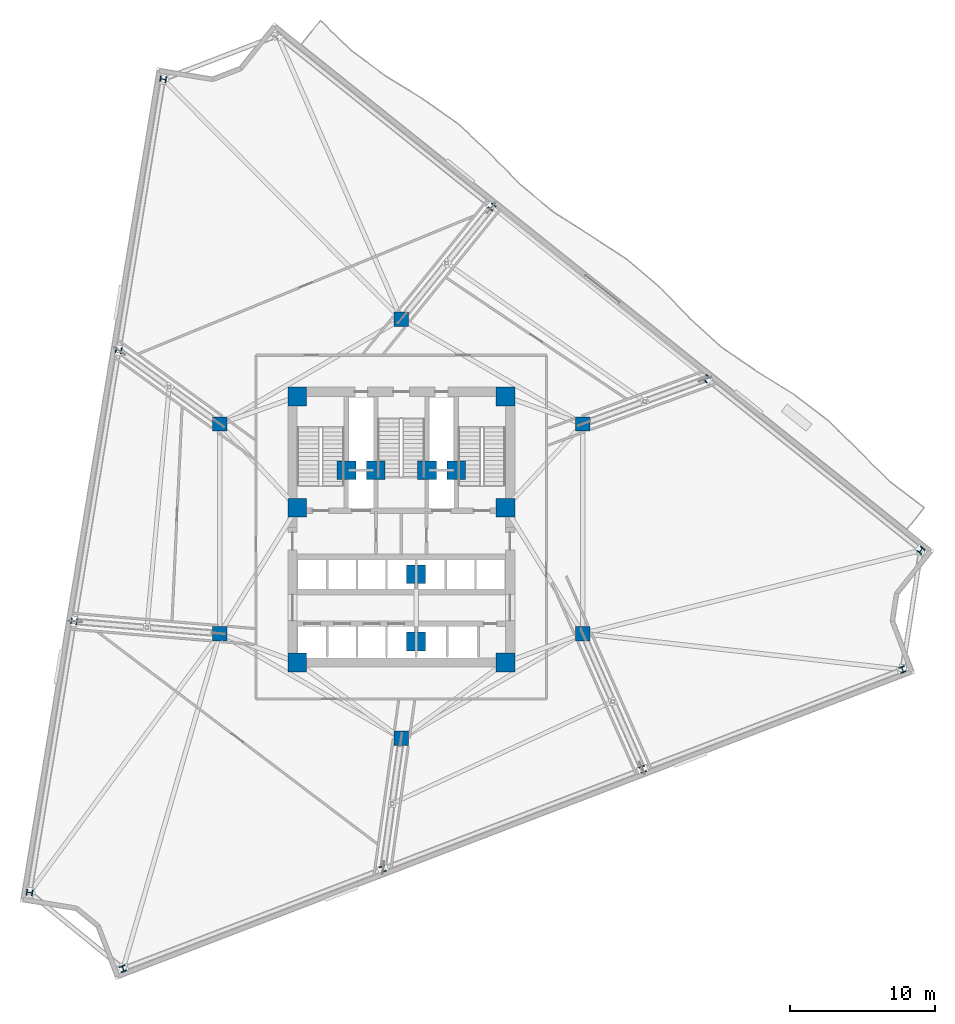
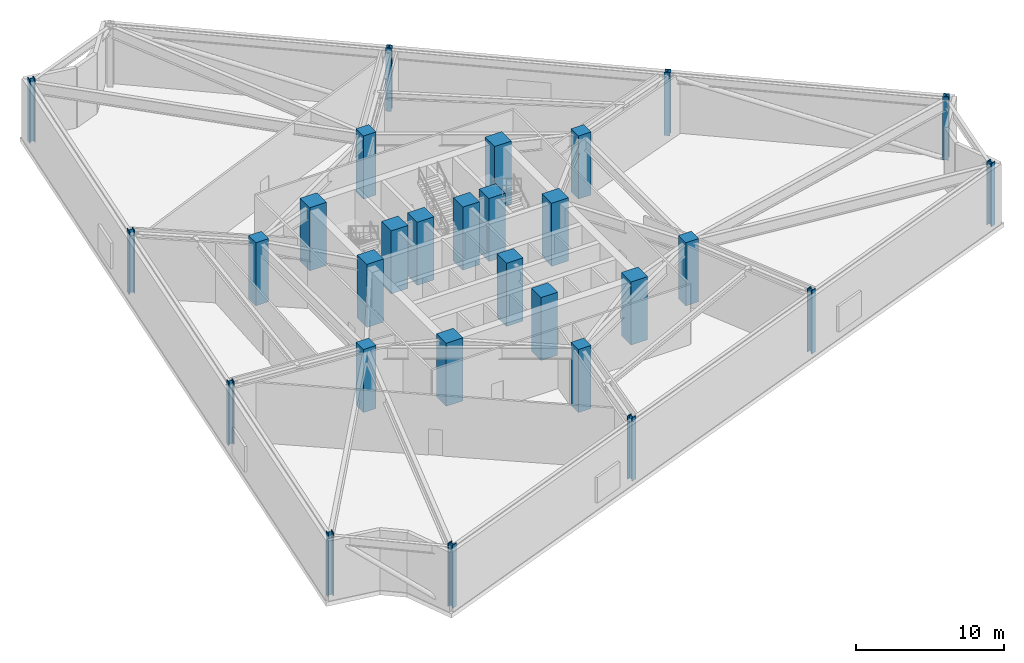
# One storey, part 1 of 18: 29 columns.
"""IFC4 building model written with IfcOpenShell, lengths in metres."""

import ifcopenshell
import ifcopenshell.guid

model = None  # the IFC model being written
_history = None  # IfcOwnerHistory: only IFC2X3 demands one
_inside = {}  # id of a spatial element -> (the spatial element, [elements in it])
_under = {}  # id of a project, library or spatial element -> (it, [spatial elements below it])
_declared = {}  # id of a project -> (the project, [libraries it declares])
_typed = {}  # id of a type object -> (the type object, [elements of that type])
_made_of = {}  # id of a material, layer set ... -> (it, [elements and type objects made of it])


def new_model(schema):
    """Start an empty IFC model of exactly this schema.

    Asked for "IFC4X3", IfcOpenShell would pick the latest addendum, in which some entities
    have other attributes; the version numbers below select the first issue.
    IFC2X3 requires an IfcOwnerHistory on every rooted entity: one is made here for all.
    """
    global model, _history
    if schema == "IFC4X3":
        model = ifcopenshell.file(schema_version=(4, 3, 0, 0))
    else:
        model = ifcopenshell.file(schema=schema)
    _inside.clear()
    _under.clear()
    _declared.clear()
    _typed.clear()
    _made_of.clear()
    _history = None
    if model.schema == "IFC2X3":
        org = make("IfcOrganization", Name="unknown")
        user = make(
            "IfcPersonAndOrganization",
            ThePerson=make("IfcPerson", FamilyName="unknown"),
            TheOrganization=org,
        )
        app = make(
            "IfcApplication",
            ApplicationDeveloper=org,
            Version="unknown",
            ApplicationFullName="unknown",
            ApplicationIdentifier="unknown",
        )
        _history = make(
            "IfcOwnerHistory",
            OwningUser=user,
            OwningApplication=app,
            ChangeAction="ADDED",
            CreationDate=0,
        )
    return model


def make(cls, **values):
    """One entity of the class cls with the attributes given. An attribute that is None is left unset."""
    return model.create_entity(
        cls, **{name: value for name, value in values.items() if value is not None}
    )


def rooted(cls, **values):
    """An entity with a GlobalId (a new one), such as an element, a storey or a relation."""
    return make(cls, GlobalId=ifcopenshell.guid.new(), OwnerHistory=_history, **values)


def si_unit(unit_type, name, prefix=None):
    """IfcSIUnit, for example si_unit("LENGTHUNIT", "METRE", prefix="MILLI")."""
    return make("IfcSIUnit", UnitType=unit_type, Prefix=prefix, Name=name)


def assignment(units):
    """IfcUnitAssignment: the units of a project."""
    return None if units is None else make("IfcUnitAssignment", Units=units)


def point(xyz):
    """IfcCartesianPoint."""
    return None if xyz is None else make("IfcCartesianPoint", Coordinates=xyz)


def direction(xyz):
    """IfcDirection."""
    return None if xyz is None else make("IfcDirection", DirectionRatios=xyz)


def frame(location, z_axis=None, x_axis=None):
    """IfcAxis2Placement3D, a coordinate frame: its origin and axes. An axis left out is left unset."""
    return make(
        "IfcAxis2Placement3D",
        Location=point(location),
        Axis=direction(z_axis),
        RefDirection=direction(x_axis),
    )


def frame_2d(location, x_axis=None):
    """IfcAxis2Placement2D, a coordinate frame in the plane: its origin and x axis."""
    return make(
        "IfcAxis2Placement2D", Location=point(location), RefDirection=direction(x_axis)
    )


def origin():
    """The frame at (0, 0, 0) with its axes left unset."""
    return frame((0.0, 0.0, 0.0))


def origin_2d():
    """The frame at (0, 0) in the plane with its x axis left unset."""
    return frame_2d((0.0, 0.0))


def place(relative_to, where):
    """IfcLocalPlacement: puts the frame where relative to a parent placement (None: the world)."""
    return make(
        "IfcLocalPlacement", PlacementRelTo=relative_to, RelativePlacement=where
    )


def context(
    kind, dimensions, precision=None, world=None, true_north=None, identifier=None
):
    """IfcGeometricRepresentationContext, for example the 3D "Model" context."""
    return make(
        "IfcGeometricRepresentationContext",
        ContextIdentifier=identifier,
        ContextType=kind,
        CoordinateSpaceDimension=dimensions,
        Precision=precision,
        WorldCoordinateSystem=world,
        TrueNorth=true_north,
    )


def subcontext(parent, identifier, kind, view, scale=None):
    """IfcGeometricRepresentationSubContext, for example "Body" below "Model"."""
    return make(
        "IfcGeometricRepresentationSubContext",
        ContextIdentifier=identifier,
        ContextType=kind,
        ParentContext=parent,
        TargetScale=scale,
        TargetView=view,
    )


def project(units=None, contexts=None):
    """IfcProject with its units and contexts."""
    return rooted(
        "IfcProject",
        Name="project",
        RepresentationContexts=contexts,
        UnitsInContext=assignment(units),
    )


def spatial(cls, under=None, at=None, **own):
    """A site, building, storey or space (cls), placed at a placement, below another one or the project."""
    s = rooted(cls, ObjectPlacement=at, **own)
    if under is not None:
        _under.setdefault(under.id(), (under, []))[1].append(s)
    return s


def profile(cls, at=None, kind="AREA", **sizes):
    """A parametric profile (cls). Its sizes go by their IFC names, for example OverallWidth=200.0."""
    return make(cls, ProfileType=kind, Position=at, **sizes)


def rectangle(**sizes):
    """IfcRectangleProfileDef."""
    return profile("IfcRectangleProfileDef", **sizes)


def i_section(**sizes):
    """IfcIShapeProfileDef."""
    return profile("IfcIShapeProfileDef", **sizes)


def extrude(swept, where, along, depth):
    """IfcExtrudedAreaSolid: the profile swept, set in the frame where, extruded along a direction by depth."""
    return make(
        "IfcExtrudedAreaSolid",
        SweptArea=swept,
        Position=where,
        ExtrudedDirection=direction(along),
        Depth=depth,
    )


def shape(context_of_items, identifier, shape_type, items):
    """IfcShapeRepresentation: the items that make up one representation, for example the "Body"."""
    return make(
        "IfcShapeRepresentation",
        ContextOfItems=context_of_items,
        RepresentationIdentifier=identifier,
        RepresentationType=shape_type,
        Items=items,
    )


def material(Name=None, Category=None):
    """IfcMaterial."""
    return make("IfcMaterial", Name=Name, Category=Category)


def material_profile(
    of_material, cross_section, Name=None, Category=None, Priority=None
):
    """IfcMaterialProfile: a cross section and its material."""
    return make(
        "IfcMaterialProfile",
        Name=Name,
        Material=of_material,
        Profile=cross_section,
        Priority=Priority,
        Category=Category,
    )


def profile_set(profiles, Name=None, composite=None):
    """IfcMaterialProfileSet."""
    return make(
        "IfcMaterialProfileSet",
        Name=Name,
        MaterialProfiles=profiles,
        CompositeProfile=composite,
    )


def made_of(thing, what):
    """Note that an element or type object is made of a material, layer set ...; save() writes the relation."""
    if what is not None:
        _made_of.setdefault(what.id(), (what, []))[1].append(thing)
    return thing


def type_object(cls, material=None, **own):
    """A type object (cls), such as IfcWallType, which elements share."""
    return made_of(rooted(cls, **own), material)


def element(
    cls,
    number,
    at=None,
    inside=None,
    cuts=None,
    type_object=None,
    material=None,
    context=None,
    identifier="Body",
    shape_type=None,
    held_by="IfcProductDefinitionShape",
    body=None,
    shapes=None,
    **own,
):
    """One element of the class cls, such as IfcWall. Its Tag is "e" and its number.

    at: its placement. inside: the storey or other place that contains it. cuts: it is an
    opening in that element (IfcRelVoidsElement). A single representation is given by context,
    identifier, shape_type and body (its items); several are given by shapes. held_by: the class
    of the entity that holds the representations. save() writes the other relations.
    """
    e = rooted(cls, Tag="e%d" % number, ObjectPlacement=at, **own)
    if body is not None:
        shapes = [shape(context, identifier, shape_type, body)]
    if shapes is not None:
        e.Representation = make(held_by, Representations=shapes)
    if inside is not None:
        _inside.setdefault(inside.id(), (inside, []))[1].append(e)
    if cuts is not None:
        rooted(
            "IfcRelVoidsElement", RelatingBuildingElement=cuts, RelatedOpeningElement=e
        )
    if type_object is not None:
        _typed.setdefault(type_object.id(), (type_object, []))[1].append(e)
    return made_of(e, material)


def aggregate(whole, parts):
    """IfcRelAggregates: a whole, such as a stair, and the parts it consists of."""
    return rooted("IfcRelAggregates", RelatingObject=whole, RelatedObjects=parts)


def save(model, path):
    """Write the relations noted so far, then the file.

    IfcRelAggregates (storeys below a building ...), IfcRelContainedInSpatialStructure (elements
    in a storey), IfcRelDefinesByType, IfcRelAssociatesMaterial and IfcRelDeclares: one each for
    every whole, place, type object, material and project.
    """
    for whole, parts in _under.values():
        aggregate(whole, parts)
    for where, things in _inside.values():
        rooted(
            "IfcRelContainedInSpatialStructure",
            RelatedElements=things,
            RelatingStructure=where,
        )
    for kind, things in _typed.values():
        rooted("IfcRelDefinesByType", RelatedObjects=things, RelatingType=kind)
    for what, things in _made_of.values():
        rooted("IfcRelAssociatesMaterial", RelatedObjects=things, RelatingMaterial=what)
    for by, libraries in _declared.values():
        rooted("IfcRelDeclares", RelatingContext=by, RelatedDefinitions=libraries)
    model.write(path)


model = new_model("IFC4")

# Units and contexts
model_context = context("Model", 3, precision=1e-05, world=origin(), true_north=direction((0.0, 1.0)))
body_context = subcontext(model_context, "Body", "Model", "MODEL_VIEW")
ifc_project = project(units=[si_unit("LENGTHUNIT", "METRE"), si_unit("AREAUNIT", "SQUARE_METRE"), si_unit("VOLUMEUNIT", "CUBIC_METRE"), si_unit("PLANEANGLEUNIT", "RADIAN"), si_unit("MASSUNIT", "GRAM", prefix="KILO")], contexts=[model_context])

# Site, building, storey
site_placement = place(None, origin())
site = spatial("IfcSite", under=ifc_project, at=site_placement, CompositionType="ELEMENT")
building_placement = place(site_placement, origin())
building = spatial("IfcBuilding", under=site, at=building_placement, Name="Apsidion Concourse Tower", CompositionType="ELEMENT")
storey_placement = place(building_placement, frame((0.0, 0.0, 127.0)))
storey = spatial("IfcBuildingStorey", under=building, at=storey_placement, Name="L29", CompositionType="ELEMENT", Elevation=127.0)

# Columns
ifc_material_1 = material(Name="Concrete C50/60", Category="concrete")
ifc_material_profile_1 = material_profile(ifc_material_1, rectangle(XDim=1.0, YDim=1.0, at=origin_2d()), Name="RC 1000x1000")
ifc_profile_set_1 = profile_set([ifc_material_profile_1], Name="Concrete C50/60")
column_type_1 = type_object("IfcColumnType", Name="COL-RC-1000", PredefinedType="COLUMN", material=ifc_profile_set_1)
for number, where, z_axis, x_axis, name in (
    (1, (-12.56005859375, -7.25, 0.0), (0.0, 0.0, 1.0), (1.0, 0.0, 0.0), "L29 Interior Spine Column IC1"),
    (2, (12.56005859375, -7.25, 0.0), (0.0, 0.0, 1.0), (1.0, 0.0, 0.0), "L29 Interior Spine Column IC2"),
    (3, (12.56005859375, 7.25, 0.0), (0.0, 0.0, 1.0), (1.0, 0.0, 0.0), "L29 Interior Spine Column IC3"),
    (4, (0.0, 14.5, 0.0), (0.0, 0.0, 1.0), (1.0, 0.0, 0.0), "L29 Interior Spine Column IC4"),
    (5, (-12.56005859375, 7.25, 0.0), (0.0, 0.0, 1.0), (1.0, 0.0, 0.0), "L29 Interior Spine Column IC5"),
    (6, (0.0, -14.5, 0.0), (0.0, 0.0, 1.0), (1.0, 0.0, 0.0), "L29 Interior Spine Column IC6"),
):
    element("IfcColumn", number, at=place(storey_placement, frame(where, z_axis=z_axis, x_axis=x_axis)), inside=storey, type_object=column_type_1, Name=name, PredefinedType="COLUMN", context=body_context, shape_type="SweptSolid", body=[
        extrude(rectangle(XDim=1.0, YDim=1.0, at=origin_2d()), origin(), (0.0, 0.0, 1.0), 5.199951171875),
    ])
ifc_material_profile_2 = material_profile(ifc_material_1, rectangle(XDim=1.300048828125, YDim=1.300048828125, at=origin_2d()), Name="RC 1300x1300")
ifc_profile_set_2 = profile_set([ifc_material_profile_2], Name="Concrete C50/60")
column_type_2 = type_object("IfcColumnType", Name="COL-RC-1300", PredefinedType="COLUMN", material=ifc_profile_set_2)
for number, where, z_axis, x_axis, name in (
    (7, (-7.199951171875, -9.25, 0.0), (0.0, 0.0, 1.0), (1.0, 0.0, 0.0), "L29 Core Super-Column SC1"),
    (8, (7.199951171875, -9.25, 0.0), (0.0, 0.0, 1.0), (1.0, 0.0, 0.0), "L29 Core Super-Column SC2"),
    (9, (7.199951171875, 1.449951171875, 0.0), (0.0, 0.0, 1.0), (1.0, 0.0, 0.0), "L29 Core Super-Column SC3"),
    (10, (7.199951171875, 9.14990234375, 0.0), (0.0, 0.0, 1.0), (1.0, 0.0, 0.0), "L29 Core Super-Column SC4"),
    (11, (-7.199951171875, 9.14990234375, 0.0), (0.0, 0.0, 1.0), (1.0, 0.0, 0.0), "L29 Core Super-Column SC5"),
    (12, (-7.199951171875, 1.449951171875, 0.0), (0.0, 0.0, 1.0), (1.0, 0.0, 0.0), "L29 Core Super-Column SC6"),
    (13, (-3.800048828125, 4.050048828125, 0.0), (0.0, 0.0, 1.0), (1.0, 0.0, 0.0), "L29 Core Super-Column CC1"),
    (14, (3.800048828125, 4.050048828125, 0.0), (0.0, 0.0, 1.0), (1.0, 0.0, 0.0), "L29 Core Super-Column CC2"),
    (15, (-1.77490234375, 4.050048828125, 0.0), (0.0, 0.0, 1.0), (1.0, 0.0, 0.0), "L29 Core Super-Column CC3"),
    (16, (1.77490234375, 4.050048828125, 0.0), (0.0, 0.0, 1.0), (1.0, 0.0, 0.0), "L29 Core Super-Column CC4"),
    (17, (1.02490234375, -3.14990234375, 0.0), (0.0, 0.0, 1.0), (1.0, 0.0, 0.0), "L29 Core Super-Column CC5"),
    (18, (1.02490234375, -7.800048828125, 0.0), (0.0, 0.0, 1.0), (1.0, 0.0, 0.0), "L29 Core Super-Column CC6"),
):
    element("IfcColumn", number, at=place(storey_placement, frame(where, z_axis=z_axis, x_axis=x_axis)), inside=storey, type_object=column_type_2, Name=name, PredefinedType="COLUMN", context=body_context, shape_type="SweptSolid", body=[
        extrude(rectangle(XDim=1.300048828125, YDim=1.300048828125, at=origin_2d()), origin(), (0.0, 0.0, 1.0), 5.199951171875),
    ])
ifc_material_2 = material(Name="Structural steel ASTM A992 Grade 50", Category="steel")
ifc_material_profile_3 = material_profile(ifc_material_2, i_section(OverallWidth=0.410888671875, OverallDepth=0.43408203125, WebThickness=0.035888671875, FlangeThickness=0.057373046875, at=origin_2d()), Name="W14X311")
ifc_profile_set_3 = profile_set([ifc_material_profile_3], Name="Structural steel ASTM A992 Grade 50")
column_type_3 = type_object("IfcColumnType", Name="COL-W14-311", PredefinedType="COLUMN", material=ifc_profile_set_3)
for number, where, z_axis, x_axis, name in (
    (19, (-16.477294921875, 31.100341796875, 0.0), (0.0, 0.0, 1.0), (0.162120515372, 0.986770965572, 0.0), "L29 Rotated Perimeter Column PC01"),
    (20, (-19.55859375, 12.34619140625, 0.0), (0.0, 0.0, 1.0), (0.162120515372, 0.986770965572, 0.0), "L29 Rotated Perimeter Column PC02"),
    (21, (-22.6396484375, -6.407958984375, 0.0), (0.0, 0.0, 1.0), (0.162120515372, 0.986770965572, 0.0), "L29 Rotated Perimeter Column PC03"),
    (22, (-25.720703125, -25.162109375, 0.0), (0.0, 0.0, 1.0), (0.162120515372, 0.986770965572, 0.0), "L29 Rotated Perimeter Column PC04"),
    (23, (-19.247314453125, -30.435302734375, 0.0), (0.0, 0.0, 1.0), (0.933580426497, 0.358367949545, 0.0), "L29 Rotated Perimeter Column PC05"),
    (24, (-1.275146484375, -23.53662109375, 0.0), (0.0, 0.0, 1.0), (0.933580426497, 0.358367949545, 0.0), "L29 Rotated Perimeter Column PC06"),
    (25, (16.69677734375, -16.6376953125, 0.0), (0.0, 0.0, 1.0), (0.933580426497, 0.358367949545, 0.0), "L29 Rotated Perimeter Column PC07"),
    (26, (34.668701171875, -9.739013671875, 0.0), (0.0, 0.0, 1.0), (0.933580426497, 0.358367949545, 0.0), "L29 Rotated Perimeter Column PC08"),
    (27, (35.951171875, -1.488525390625, 0.0), (0.0, 0.0, 1.0), (-0.780757676633, 0.624833938242, 0.0), "L29 Rotated Perimeter Column PC09"),
    (28, (21.1123046875, 10.38671875, 0.0), (0.0, 0.0, 1.0), (-0.780757676633, 0.624833938242, 0.0), "L29 Rotated Perimeter Column PC10"),
    (29, (6.2734375, 22.26220703125, 0.0), (0.0, 0.0, 1.0), (-0.780757676633, 0.624833938242, 0.0), "L29 Rotated Perimeter Column PC11"),
):
    element("IfcColumn", number, at=place(storey_placement, frame(where, z_axis=z_axis, x_axis=x_axis)), inside=storey, type_object=column_type_3, Name=name, PredefinedType="COLUMN", context=body_context, shape_type="SweptSolid", body=[
        extrude(i_section(OverallWidth=0.410888671875, OverallDepth=0.43408203125, WebThickness=0.035888671875, FlangeThickness=0.057373046875, at=origin_2d()), origin(), (0.0, 0.0, 1.0), 5.199951171875),
    ])

save(model, "model.ifc")
